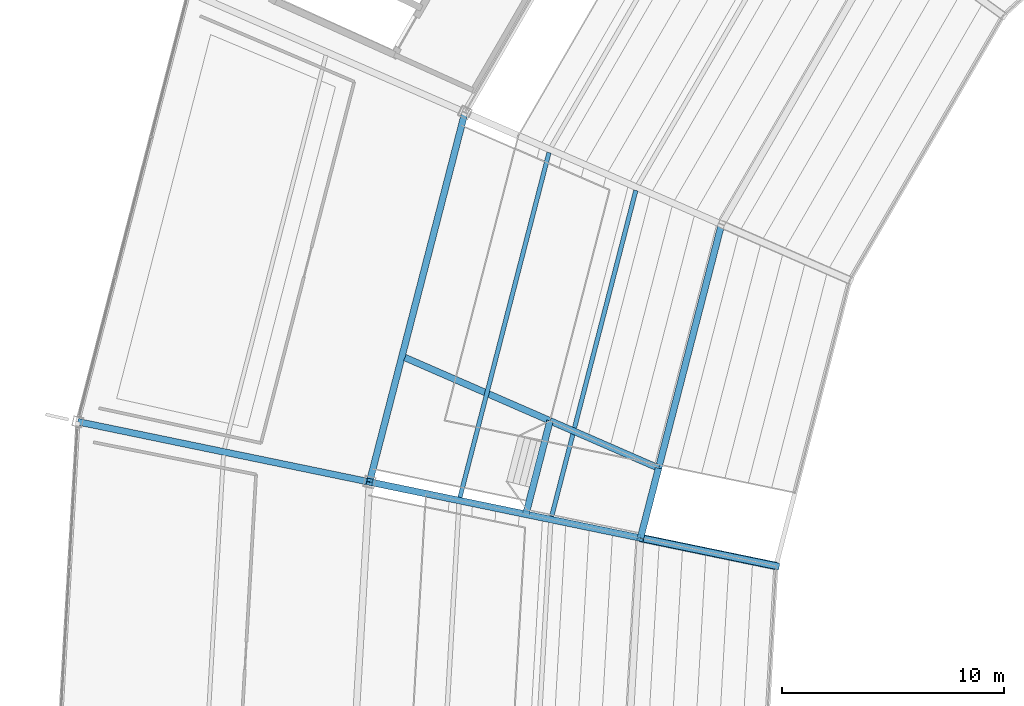
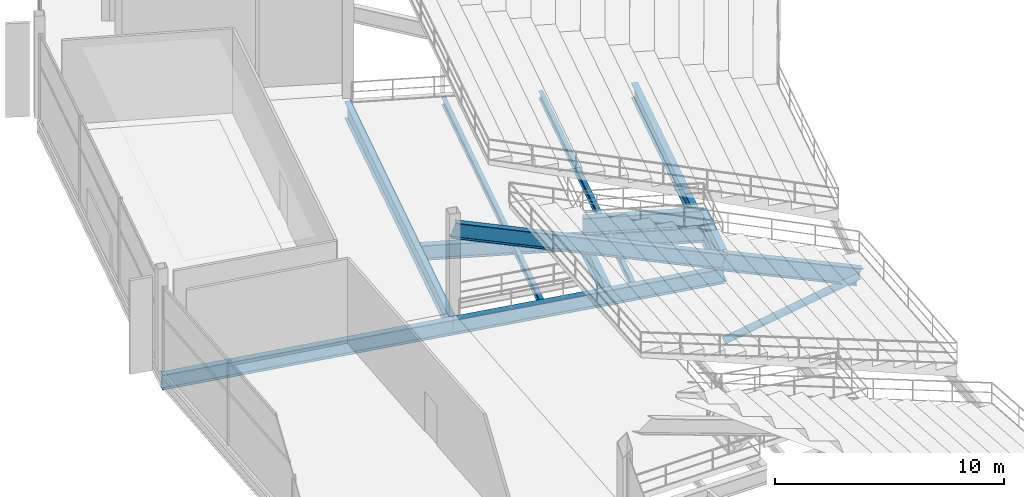
# One storey, part 50 of 186: 12 beams, 1 member.
"""IFC4 building model written with IfcOpenShell, lengths in metres."""

import ifcopenshell
import ifcopenshell.guid

model = None  # the IFC model being written
_history = None  # IfcOwnerHistory: only IFC2X3 demands one
_inside = {}  # id of a spatial element -> (the spatial element, [elements in it])
_under = {}  # id of a project, library or spatial element -> (it, [spatial elements below it])
_declared = {}  # id of a project -> (the project, [libraries it declares])
_typed = {}  # id of a type object -> (the type object, [elements of that type])
_made_of = {}  # id of a material, layer set ... -> (it, [elements and type objects made of it])


def new_model(schema):
    """Start an empty IFC model of exactly this schema.

    Asked for "IFC4X3", IfcOpenShell would pick the latest addendum, in which some entities
    have other attributes; the version numbers below select the first issue.
    IFC2X3 requires an IfcOwnerHistory on every rooted entity: one is made here for all.
    """
    global model, _history
    if schema == "IFC4X3":
        model = ifcopenshell.file(schema_version=(4, 3, 0, 0))
    else:
        model = ifcopenshell.file(schema=schema)
    _inside.clear()
    _under.clear()
    _declared.clear()
    _typed.clear()
    _made_of.clear()
    _history = None
    if model.schema == "IFC2X3":
        org = make("IfcOrganization", Name="unknown")
        user = make(
            "IfcPersonAndOrganization",
            ThePerson=make("IfcPerson", FamilyName="unknown"),
            TheOrganization=org,
        )
        app = make(
            "IfcApplication",
            ApplicationDeveloper=org,
            Version="unknown",
            ApplicationFullName="unknown",
            ApplicationIdentifier="unknown",
        )
        _history = make(
            "IfcOwnerHistory",
            OwningUser=user,
            OwningApplication=app,
            ChangeAction="ADDED",
            CreationDate=0,
        )
    return model


def make(cls, **values):
    """One entity of the class cls with the attributes given. An attribute that is None is left unset."""
    return model.create_entity(
        cls, **{name: value for name, value in values.items() if value is not None}
    )


def rooted(cls, **values):
    """An entity with a GlobalId (a new one), such as an element, a storey or a relation."""
    return make(cls, GlobalId=ifcopenshell.guid.new(), OwnerHistory=_history, **values)


def si_unit(unit_type, name, prefix=None):
    """IfcSIUnit, for example si_unit("LENGTHUNIT", "METRE", prefix="MILLI")."""
    return make("IfcSIUnit", UnitType=unit_type, Prefix=prefix, Name=name)


def assignment(units):
    """IfcUnitAssignment: the units of a project."""
    return None if units is None else make("IfcUnitAssignment", Units=units)


def point(xyz):
    """IfcCartesianPoint."""
    return None if xyz is None else make("IfcCartesianPoint", Coordinates=xyz)


def direction(xyz):
    """IfcDirection."""
    return None if xyz is None else make("IfcDirection", DirectionRatios=xyz)


def frame(location, z_axis=None, x_axis=None):
    """IfcAxis2Placement3D, a coordinate frame: its origin and axes. An axis left out is left unset."""
    return make(
        "IfcAxis2Placement3D",
        Location=point(location),
        Axis=direction(z_axis),
        RefDirection=direction(x_axis),
    )


def frame_2d(location, x_axis=None):
    """IfcAxis2Placement2D, a coordinate frame in the plane: its origin and x axis."""
    return make(
        "IfcAxis2Placement2D", Location=point(location), RefDirection=direction(x_axis)
    )


def origin():
    """The frame at (0, 0, 0) with its axes left unset."""
    return frame((0.0, 0.0, 0.0))


def origin_2d():
    """The frame at (0, 0) in the plane with its x axis left unset."""
    return frame_2d((0.0, 0.0))


def place(relative_to, where):
    """IfcLocalPlacement: puts the frame where relative to a parent placement (None: the world)."""
    return make(
        "IfcLocalPlacement", PlacementRelTo=relative_to, RelativePlacement=where
    )


def context(
    kind, dimensions, precision=None, world=None, true_north=None, identifier=None
):
    """IfcGeometricRepresentationContext, for example the 3D "Model" context."""
    return make(
        "IfcGeometricRepresentationContext",
        ContextIdentifier=identifier,
        ContextType=kind,
        CoordinateSpaceDimension=dimensions,
        Precision=precision,
        WorldCoordinateSystem=world,
        TrueNorth=true_north,
    )


def subcontext(parent, identifier, kind, view, scale=None):
    """IfcGeometricRepresentationSubContext, for example "Body" below "Model"."""
    return make(
        "IfcGeometricRepresentationSubContext",
        ContextIdentifier=identifier,
        ContextType=kind,
        ParentContext=parent,
        TargetScale=scale,
        TargetView=view,
    )


def project(units=None, contexts=None):
    """IfcProject with its units and contexts."""
    return rooted(
        "IfcProject",
        Name="project",
        RepresentationContexts=contexts,
        UnitsInContext=assignment(units),
    )


def spatial(cls, under=None, at=None, **own):
    """A site, building, storey or space (cls), placed at a placement, below another one or the project."""
    s = rooted(cls, ObjectPlacement=at, **own)
    if under is not None:
        _under.setdefault(under.id(), (under, []))[1].append(s)
    return s


def profile(cls, at=None, kind="AREA", **sizes):
    """A parametric profile (cls). Its sizes go by their IFC names, for example OverallWidth=200.0."""
    return make(cls, ProfileType=kind, Position=at, **sizes)


def hollow_circle(**sizes):
    """IfcCircleHollowProfileDef."""
    return profile("IfcCircleHollowProfileDef", **sizes)


def i_section(**sizes):
    """IfcIShapeProfileDef."""
    return profile("IfcIShapeProfileDef", **sizes)


def extrude(swept, where, along, depth):
    """IfcExtrudedAreaSolid: the profile swept, set in the frame where, extruded along a direction by depth."""
    return make(
        "IfcExtrudedAreaSolid",
        SweptArea=swept,
        Position=where,
        ExtrudedDirection=direction(along),
        Depth=depth,
    )


def shape(context_of_items, identifier, shape_type, items):
    """IfcShapeRepresentation: the items that make up one representation, for example the "Body"."""
    return make(
        "IfcShapeRepresentation",
        ContextOfItems=context_of_items,
        RepresentationIdentifier=identifier,
        RepresentationType=shape_type,
        Items=items,
    )


def material(Name=None, Category=None):
    """IfcMaterial."""
    return make("IfcMaterial", Name=Name, Category=Category)


def material_profile(
    of_material, cross_section, Name=None, Category=None, Priority=None
):
    """IfcMaterialProfile: a cross section and its material."""
    return make(
        "IfcMaterialProfile",
        Name=Name,
        Material=of_material,
        Profile=cross_section,
        Priority=Priority,
        Category=Category,
    )


def profile_set(profiles, Name=None, composite=None):
    """IfcMaterialProfileSet."""
    return make(
        "IfcMaterialProfileSet",
        Name=Name,
        MaterialProfiles=profiles,
        CompositeProfile=composite,
    )


def made_of(thing, what):
    """Note that an element or type object is made of a material, layer set ...; save() writes the relation."""
    if what is not None:
        _made_of.setdefault(what.id(), (what, []))[1].append(thing)
    return thing


def type_object(cls, material=None, **own):
    """A type object (cls), such as IfcWallType, which elements share."""
    return made_of(rooted(cls, **own), material)


def element(
    cls,
    number,
    at=None,
    inside=None,
    cuts=None,
    type_object=None,
    material=None,
    context=None,
    identifier="Body",
    shape_type=None,
    held_by="IfcProductDefinitionShape",
    body=None,
    shapes=None,
    **own,
):
    """One element of the class cls, such as IfcWall. Its Tag is "e" and its number.

    at: its placement. inside: the storey or other place that contains it. cuts: it is an
    opening in that element (IfcRelVoidsElement). A single representation is given by context,
    identifier, shape_type and body (its items); several are given by shapes. held_by: the class
    of the entity that holds the representations. save() writes the other relations.
    """
    e = rooted(cls, Tag="e%d" % number, ObjectPlacement=at, **own)
    if body is not None:
        shapes = [shape(context, identifier, shape_type, body)]
    if shapes is not None:
        e.Representation = make(held_by, Representations=shapes)
    if inside is not None:
        _inside.setdefault(inside.id(), (inside, []))[1].append(e)
    if cuts is not None:
        rooted(
            "IfcRelVoidsElement", RelatingBuildingElement=cuts, RelatedOpeningElement=e
        )
    if type_object is not None:
        _typed.setdefault(type_object.id(), (type_object, []))[1].append(e)
    return made_of(e, material)


def aggregate(whole, parts):
    """IfcRelAggregates: a whole, such as a stair, and the parts it consists of."""
    return rooted("IfcRelAggregates", RelatingObject=whole, RelatedObjects=parts)


def save(model, path):
    """Write the relations noted so far, then the file.

    IfcRelAggregates (storeys below a building ...), IfcRelContainedInSpatialStructure (elements
    in a storey), IfcRelDefinesByType, IfcRelAssociatesMaterial and IfcRelDeclares: one each for
    every whole, place, type object, material and project.
    """
    for whole, parts in _under.values():
        aggregate(whole, parts)
    for where, things in _inside.values():
        rooted(
            "IfcRelContainedInSpatialStructure",
            RelatedElements=things,
            RelatingStructure=where,
        )
    for kind, things in _typed.values():
        rooted("IfcRelDefinesByType", RelatedObjects=things, RelatingType=kind)
    for what, things in _made_of.values():
        rooted("IfcRelAssociatesMaterial", RelatedObjects=things, RelatingMaterial=what)
    for by, libraries in _declared.values():
        rooted("IfcRelDeclares", RelatingContext=by, RelatedDefinitions=libraries)
    model.write(path)


model = new_model("IFC4")

# Units and contexts
model_context = context("Model", 3, precision=1e-05, world=origin(), true_north=direction((0.0, 1.0)))
body_context = subcontext(model_context, "Body", "Model", "MODEL_VIEW")
ifc_project = project(units=[si_unit("LENGTHUNIT", "METRE"), si_unit("AREAUNIT", "SQUARE_METRE"), si_unit("VOLUMEUNIT", "CUBIC_METRE"), si_unit("PLANEANGLEUNIT", "RADIAN"), si_unit("MASSUNIT", "GRAM", prefix="KILO")], contexts=[model_context])

# Site, building, storey
site_placement = place(None, origin())
site = spatial("IfcSite", under=ifc_project, at=site_placement, CompositionType="ELEMENT")
building_placement = place(site_placement, origin())
building = spatial("IfcBuilding", under=site, at=building_placement, Name="Kazemori Nagisa Stadium", CompositionType="ELEMENT")
storey_placement = place(building_placement, frame((0.0, 0.0, 20.39990234375)))
storey = spatial("IfcBuildingStorey", under=building, at=storey_placement, Name="L04", CompositionType="ELEMENT", Elevation=20.39990234375)

# Beams
ifc_material_1 = material(Name="Steel SN490B", Category="steel")
ifc_material_profile_1 = material_profile(ifc_material_1, i_section(OverallWidth=0.300048828125, OverallDepth=0.800048828125, WebThickness=0.013916015625, FlangeThickness=0.02587890625, FilletRadius=0.01806640625, at=origin_2d()), Name="H-800x300x14x26")
ifc_profile_set_1 = profile_set([ifc_material_profile_1], Name="Steel SN490B")
beam_type_1 = type_object("IfcBeamType", Name="Beam_BG-H800", PredefinedType="BEAM", material=ifc_profile_set_1)
beam_1_placement = place(storey_placement, frame((58.114013671875, 130.287109375, -0.699951171875), z_axis=(-0.249966077383, -0.9682545947, 0.0), x_axis=(0.9682545947, -0.249966077383, 0.0)))
element("IfcBeam", 1, at=beam_1_placement, inside=storey, type_object=beam_type_1, Name="Ring girder BG-H800 L04 R1-13", PredefinedType="BEAM", context=body_context, shape_type="SweptSolid", body=[
    extrude(i_section(OverallWidth=0.300048828125, OverallDepth=0.800048828125, WebThickness=0.013916015625, FlangeThickness=0.02587890625, FilletRadius=0.01806640625, at=origin_2d()), origin(), (0.0, 0.0, 1.0), 14.58984375),
])
beam_2_placement = place(storey_placement, frame((54.467041015625, 116.160400390625, -0.699951171875), z_axis=(-0.979313861938, 0.202347127025, 0.0), x_axis=(-0.202347127025, -0.979313861938, 0.0)))
element("IfcBeam", 2, at=beam_2_placement, inside=storey, type_object=beam_type_1, Name="Radial girder BG-H800 L04 R1-R2-14", PredefinedType="BEAM", context=body_context, shape_type="SweptSolid", body=[
    extrude(i_section(OverallWidth=0.300048828125, OverallDepth=0.800048828125, WebThickness=0.013916015625, FlangeThickness=0.02587890625, FilletRadius=0.01806640625, at=origin_2d()), origin(), (0.0, 0.0, 1.0), 12.46240234375),
])
beam_3_placement = place(storey_placement, frame((42.262451171875, 118.68212890625, -0.699951171875), z_axis=(-0.979315516463, 0.202339119339, 0.0), x_axis=(-0.202339119339, -0.979315516463, 0.0)))
element("IfcBeam", 3, at=beam_3_placement, inside=storey, type_object=beam_type_1, Name="Radial girder BG-H800 L04 R2-R3-14", PredefinedType="BEAM", context=body_context, shape_type="SweptSolid", body=[
    extrude(i_section(OverallWidth=0.300048828125, OverallDepth=0.800048828125, WebThickness=0.013916015625, FlangeThickness=0.02587890625, FilletRadius=0.01806640625, at=origin_2d()), origin(), (0.0, 0.0, 1.0), 13.4208984375),
])
beam_4_placement = place(storey_placement, frame((55.279296875, 119.30712890625, -0.699951171875), z_axis=(-0.916678115885, 0.399626365318, 0.0), x_axis=(-0.399626365318, -0.916678115885, 0.0)))
element("IfcBeam", 4, at=beam_4_placement, inside=storey, type_object=beam_type_1, Name="Upper vomitory radial carrier girder B13", PredefinedType="BEAM", context=body_context, shape_type="SweptSolid", body=[
    extrude(i_section(OverallWidth=0.300048828125, OverallDepth=0.800048828125, WebThickness=0.013916015625, FlangeThickness=0.02587890625, FilletRadius=0.01806640625, at=origin_2d()), origin(), (0.0, 0.0, 1.0), 12.462158203125),
])
ifc_material_profile_2 = material_profile(ifc_material_1, i_section(OverallWidth=0.300048828125, OverallDepth=0.89990234375, WebThickness=0.01611328125, FlangeThickness=0.028076171875, FilletRadius=0.01806640625, at=origin_2d()), Name="H-900x300x16x28")
ifc_profile_set_2 = profile_set([ifc_material_profile_2], Name="Steel SN490B")
beam_type_2 = type_object("IfcBeamType", Name="Beam_BG-H900", PredefinedType="BEAM", material=ifc_profile_set_2)
beam_5_placement = place(storey_placement, frame((46.55908203125, 135.32470703125, -0.75), z_axis=(-0.249974673676, -0.968252375427, 0.0), x_axis=(0.968252375427, -0.249974673676, 0.0)))
element("IfcBeam", 5, at=beam_5_placement, inside=storey, type_object=beam_type_2, Name="Ring girder BG-H900 L04 R2-13", PredefinedType="BEAM", context=body_context, shape_type="SweptSolid", body=[
    extrude(i_section(OverallWidth=0.300048828125, OverallDepth=0.89990234375, WebThickness=0.01611328125, FlangeThickness=0.028076171875, FilletRadius=0.01806640625, at=origin_2d()), origin(), (0.0, 0.0, 1.0), 17.188232421875),
])
ifc_material_profile_3 = material_profile(ifc_material_1, i_section(OverallWidth=0.300048828125, OverallDepth=0.89990234375, WebThickness=0.01806640625, FlangeThickness=0.031982421875, FilletRadius=0.01806640625, at=origin_2d()), Name="H-900x300x18x32")
ifc_profile_set_3 = profile_set([ifc_material_profile_3], Name="Steel SN490B")
beam_type_3 = type_object("IfcBeamType", Name="Beam_BG-TR900", PredefinedType="BEAM", material=ifc_profile_set_3)
beam_6_placement = place(storey_placement, frame((55.279296875, 119.30712890625, 0.150146484375), z_axis=(-0.916669304894, 0.399646575695, 0.0), x_axis=(-0.399646575695, -0.916669304894, 0.0)))
element("IfcBeam", 6, at=beam_6_placement, inside=storey, type_object=beam_type_3, Name="Upper vomitory left transfer girder B13", PredefinedType="BEAM", context=body_context, shape_type="SweptSolid", body=[
    extrude(i_section(OverallWidth=0.300048828125, OverallDepth=0.89990234375, WebThickness=0.01806640625, FlangeThickness=0.031982421875, FilletRadius=0.01806640625, at=origin_2d()), origin(), (0.0, 0.0, 1.0), 5.3330078125),
])
beam_7_placement = place(storey_placement, frame((50.390625, 121.4384765625, -0.75), z_axis=(-0.24996460126, -0.968254975777, 0.0), x_axis=(0.968254975777, -0.24996460126, 0.0)))
element("IfcBeam", 7, at=beam_7_placement, inside=storey, type_object=beam_type_3, Name="Upper vomitory portal header girder B13", PredefinedType="BEAM", context=body_context, shape_type="SweptSolid", body=[
    extrude(i_section(OverallWidth=0.300048828125, OverallDepth=0.89990234375, WebThickness=0.01806640625, FlangeThickness=0.031982421875, FilletRadius=0.01806640625, at=origin_2d()), origin(), (0.0, 0.0, 1.0), 4.349365234375),
])
beam_8_placement = place(storey_placement, frame((55.279296875, 119.30712890625, 0.150146484375), z_axis=(-0.249934819045, -0.968262663862, 0.0), x_axis=(0.968262663862, -0.249934819045, 0.0)))
element("IfcBeam", 8, at=beam_8_placement, inside=storey, type_object=beam_type_3, Name="Upper vomitory inner sill girder B13", PredefinedType="BEAM", context=body_context, shape_type="SweptSolid", body=[
    extrude(i_section(OverallWidth=0.300048828125, OverallDepth=0.89990234375, WebThickness=0.01806640625, FlangeThickness=0.031982421875, FilletRadius=0.01806640625, at=origin_2d()), origin(), (0.0, 0.0, 1.0), 3.249755859375),
])
ifc_material_profile_4 = material_profile(ifc_material_1, i_section(OverallWidth=0.199951171875, OverallDepth=0.39990234375, WebThickness=0.008056640625, FlangeThickness=0.012939453125, FilletRadius=0.012939453125, at=origin_2d()), Name="H-400x200x8x13")
ifc_profile_set_4 = profile_set([ifc_material_profile_4], Name="Steel SN490B")
beam_type_4 = type_object("IfcBeamType", Name="Beam_BJ-H400", PredefinedType="JOIST", material=ifc_profile_set_4)
beam_9_placement = place(storey_placement, frame((54.255615234375, 131.81298828125, -0.5), z_axis=(-0.249963255877, -0.9682553231, 0.0), x_axis=(0.9682553231, -0.249963255877, 0.0)))
element("IfcBeam", 9, at=beam_9_placement, inside=storey, type_object=beam_type_4, Name="Concourse joist BJ-H400 L04 B13-1", PredefinedType="JOIST", context=body_context, shape_type="SweptSolid", body=[
    extrude(i_section(OverallWidth=0.199951171875, OverallDepth=0.39990234375, WebThickness=0.008056640625, FlangeThickness=0.012939453125, FilletRadius=0.012939453125, at=origin_2d()), origin(), (0.0, 0.0, 1.0), 15.159423828125),
])
beam_10_placement = place(storey_placement, frame((50.3447265625, 133.51806640625, -0.5), z_axis=(-0.249956740753, -0.968257005011, 0.0), x_axis=(0.968257005011, -0.249956740753, 0.0)))
element("IfcBeam", 10, at=beam_10_placement, inside=storey, type_object=beam_type_4, Name="Concourse joist BJ-H400 L04 B13-2", PredefinedType="JOIST", context=body_context, shape_type="SweptSolid", body=[
    extrude(i_section(OverallWidth=0.199951171875, OverallDepth=0.39990234375, WebThickness=0.008056640625, FlangeThickness=0.012939453125, FilletRadius=0.012939453125, at=origin_2d()), origin(), (0.0, 0.0, 1.0), 16.038818359375),
])
ifc_material_profile_5 = material_profile(ifc_material_1, i_section(OverallWidth=0.300048828125, OverallDepth=0.800048828125, WebThickness=0.013916015625, FlangeThickness=0.02587890625, FilletRadius=0.01806640625, at=origin_2d()), Name="H-800x300x14x26")
ifc_profile_set_5 = profile_set([ifc_material_profile_5], Name="Steel SN490B")
beam_type_5 = type_object("IfcBeamType", Name="Beam_RK-ST800", PredefinedType="USERDEFINED", material=ifc_profile_set_5)
beam_11_placement = place(storey_placement, frame((54.467041015625, 116.160400390625, 0.02001953125), z_axis=(-0.922744839071, 0.190658760607, 0.334949546905), x_axis=(-0.202347127025, -0.979313861938, 0.0)))
element("IfcBeam", 11, at=beam_11_placement, inside=storey, type_object=beam_type_5, Name="Raker beam upper backspan RK3-14B", ObjectType="RAKER BEAM", PredefinedType="USERDEFINED", context=body_context, shape_type="SweptSolid", body=[
    extrude(i_section(OverallWidth=0.300048828125, OverallDepth=0.800048828125, WebThickness=0.013916015625, FlangeThickness=0.02587890625, FilletRadius=0.01806640625, at=origin_2d()), origin(), (0.0, 0.0, 1.0), 13.226318359375),
])
ifc_material_profile_6 = material_profile(ifc_material_1, i_section(OverallWidth=0.300048828125, OverallDepth=0.89990234375, WebThickness=0.01611328125, FlangeThickness=0.028076171875, FilletRadius=0.01806640625, at=origin_2d()), Name="H-900x300x16x28")
ifc_profile_set_6 = profile_set([ifc_material_profile_6], Name="Steel SN490B")
beam_type_6 = type_object("IfcBeamType", Name="Beam_RK-ST900", PredefinedType="USERDEFINED", material=ifc_profile_set_6)
beam_12_placement = place(storey_placement, frame((60.5693359375, 114.8994140625, -2.14990234375), z_axis=(-0.924838040784, 0.191109761178, 0.328864193098), x_axis=(-0.202365915, -0.979309979754, 0.0)))
element("IfcBeam", 12, at=beam_12_placement, inside=storey, type_object=beam_type_6, Name="Raker beam upper cantilever RK3-14A", ObjectType="RAKER BEAM", PredefinedType="USERDEFINED", context=body_context, shape_type="SweptSolid", body=[
    extrude(i_section(OverallWidth=0.300048828125, OverallDepth=0.89990234375, WebThickness=0.01611328125, FlangeThickness=0.028076171875, FilletRadius=0.01806640625, at=origin_2d()), origin(), (0.0, 0.0, 1.0), 6.59814453125),
])

# Member
ifc_material_2 = material(Name="Steel STK490", Category="steel")
ifc_material_profile_7 = material_profile(ifc_material_2, hollow_circle(Radius=0.177734375, WallThickness=0.0126953125, at=origin_2d()), Name="CHS-355.6x12.7")
ifc_profile_set_7 = profile_set([ifc_material_profile_7], Name="Steel STK490")
member_type = type_object("IfcMemberType", Name="Member_TB-CHS355", PredefinedType="BRACE", material=ifc_profile_set_7)
member_placement = place(storey_placement, frame((54.467041015625, 116.160400390625, -4.25), z_axis=(0.928021170057, -0.191767527239, 0.319377399673), x_axis=(0.202365915, 0.979309979754, 0.0)))
element("IfcMember", 13, at=member_placement, inside=storey, type_object=member_type, Name="Upper tier cantilever truss strut UT-14", PredefinedType="BRACE", context=body_context, shape_type="SweptSolid", body=[
    extrude(hollow_circle(Radius=0.177734375, WallThickness=0.0126953125, at=origin_2d()), origin(), (0.0, 0.0, 1.0), 6.57568359375),
])

save(model, "model.ifc")
